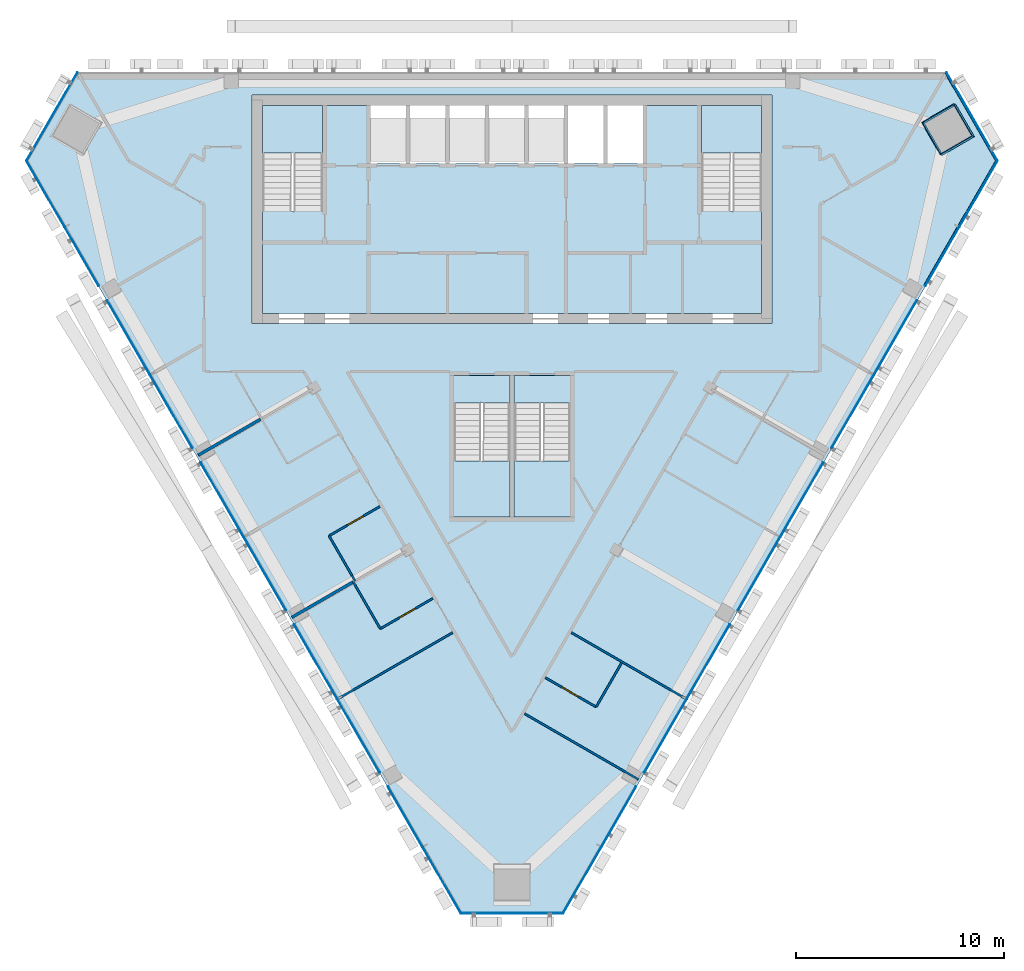
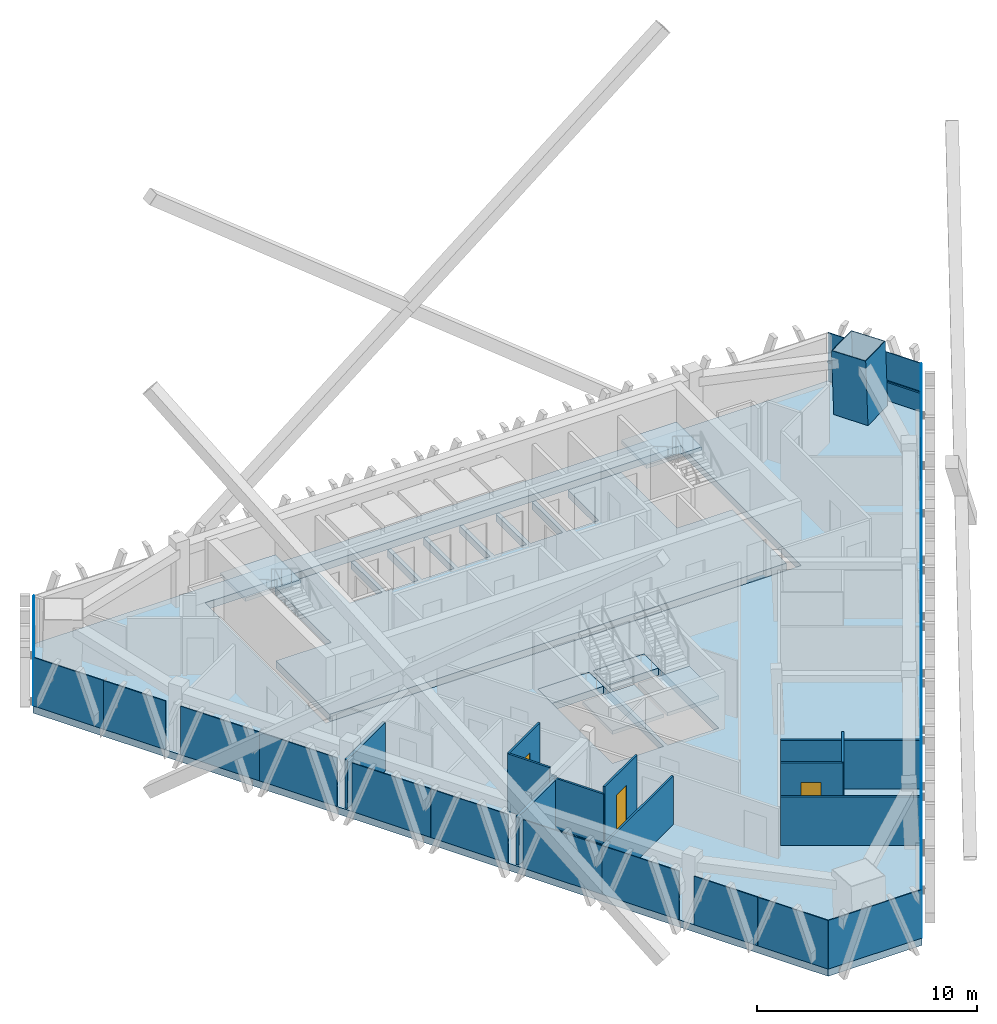
# One storey, part 7 of 14: 23 plates, 12 walls, 8 slabs, 3 doors, 3 members, 3 openings, 9 elements without a shape of their own.
"""IFC4 building model written with IfcOpenShell, lengths in metres."""

from ifc_helpers import new_model, si_unit, direction, frame, frame_2d, origin, origin_2d, place, context, subcontext, project, spatial, polyline, rectangle, hollow_rectangle, outline, extrude, material, layer, layer_set, material_profile, profile_set, type_object, element, fill, aggregate, save


model = new_model("IFC4")

# Units and contexts
model_context = context("Model", 3, precision=1e-05, world=origin(), true_north=direction((0.0, 1.0)))
body_context = subcontext(model_context, "Body", "Model", "MODEL_VIEW")
ifc_project = project(units=[si_unit("LENGTHUNIT", "METRE"), si_unit("AREAUNIT", "SQUARE_METRE"), si_unit("VOLUMEUNIT", "CUBIC_METRE"), si_unit("PLANEANGLEUNIT", "RADIAN"), si_unit("MASSUNIT", "GRAM", prefix="KILO")], contexts=[model_context])

# Site, building, storey
site_placement = place(None, origin())
site = spatial("IfcSite", under=ifc_project, at=site_placement, CompositionType="ELEMENT")
building_placement = place(site_placement, origin())
building = spatial("IfcBuilding", under=site, at=building_placement, Name="Altiplano Prism Tower", CompositionType="ELEMENT")
storey_placement = place(building_placement, frame((0.0, 0.0, 264.39990234375)))
storey = spatial("IfcBuildingStorey", under=building, at=storey_placement, Name="L68", CompositionType="ELEMENT", Elevation=264.39990234375)

# Curtain wall, member
ifc_material_1 = material(Name="Aluminium and glass", Category="aluminium")
ifc_layer_1 = layer(ifc_material_1, 0.280029296875)
ifc_layer_set_1 = layer_set([ifc_layer_1], Name="Aluminium and glass")
curtain_wall_type = type_object("IfcCurtainWallType", Name="CW1 typical co-living unitised curtain wall", PredefinedType="NOTDEFINED", material=ifc_layer_set_1)
curtain_wall_1_placement = place(storey_placement, origin())
curtain_wall_1 = element("IfcCurtainWall", 1, at=curtain_wall_1_placement, inside=storey, type_object=curtain_wall_type, Name="CW1 curtain wall south-east face L68", PredefinedType="NOTDEFINED")
ifc_material_2 = material(Name="Aluminium", Category="aluminium")
ifc_material_profile_1 = material_profile(ifc_material_2, rectangle(XDim=0.06005859375, YDim=0.080078125, at=origin_2d()), Name="CW1 transom 80 x 60")
ifc_profile_set_1 = profile_set([ifc_material_profile_1], Name="Aluminium")
member_type_1 = type_object("IfcMemberType", Name="CW1 transom 80 x 60", PredefinedType="USERDEFINED", material=ifc_profile_set_1)
member_1_placement = place(storey_placement, frame((104.81591796875, 94.734619140625, 1.10009765625), z_axis=(0.499978175358, 0.86603800388, 0.0), x_axis=(-0.86603800388, 0.499978175358, 0.0)))
member_1 = element("IfcMember", 2, at=member_1_placement, type_object=member_type_1, Name="CW1 transom", ObjectType="TRANSOM", PredefinedType="USERDEFINED", context=body_context, shape_type="SweptSolid", body=[
    extrude(rectangle(XDim=0.06005859375, YDim=0.080078125, at=origin_2d()), origin(), (0.0, 0.0, 1.0), 6.969482421875),
])

curtain_wall_2_placement = place(storey_placement, origin())
curtain_wall_2 = element("IfcCurtainWall", 3, at=curtain_wall_2_placement, inside=storey, type_object=curtain_wall_type, Name="CW1 curtain wall north-east chamfer L68", PredefinedType="NOTDEFINED")
member_2_placement = place(storey_placement, frame((108.300537109375, 100.700439453125, 1.10009765625), z_axis=(-0.499994255055, 0.866028720605, 0.0), x_axis=(-0.866028720605, -0.499994255055, 0.0)))
member_2 = element("IfcMember", 4, at=member_2_placement, type_object=member_type_1, Name="CW1 transom", ObjectType="TRANSOM", PredefinedType="USERDEFINED", context=body_context, shape_type="SweptSolid", body=[
    extrude(rectangle(XDim=0.06005859375, YDim=0.080078125, at=origin_2d()), origin(), (0.0, 0.0, 1.0), 4.92431640625),
])

# Member
ifc_material_3 = material(Name="Steel S460", Category="steel")
ifc_material_profile_2 = material_profile(ifc_material_3, hollow_rectangle(XDim=1.800048828125, YDim=1.800048828125, WallThickness=0.0400390625, at=origin_2d()), Name="Mega column tube 1800")
ifc_profile_set_2 = profile_set([ifc_material_profile_2], Name="Steel S460")
member_type_2 = type_object("IfcMemberType", Name="Mega column tube 1800", PredefinedType="POST", material=ifc_profile_set_2)
member_3_placement = place(storey_placement, frame((106.00439453125, 102.2177734375, 0.0), z_axis=(-0.028401814599, 0.009218727412, 0.999554076572), x_axis=(0.50075982596, -0.865301300512, 0.022209368232)))
element("IfcMember", 5, at=member_3_placement, inside=storey, type_object=member_type_2, Name="Mega column tube M2 L68", PredefinedType="POST", context=body_context, shape_type="SweptSolid", body=[
    extrude(hollow_rectangle(XDim=1.800048828125, YDim=1.800048828125, WallThickness=0.0400390625, at=origin_2d()), origin(), (0.0, 0.0, 1.0), 3.601806640625),
])

# Curtain wall, plate
curtain_wall_3_placement = place(storey_placement, origin())
curtain_wall_3 = element("IfcCurtainWall", 6, at=curtain_wall_3_placement, inside=storey, type_object=curtain_wall_type, Name="CW1 curtain wall north-west chamfer L68", PredefinedType="NOTDEFINED")
ifc_material_4 = material(Name="Clear glass", Category="glass")
ifc_layer_2 = layer(ifc_material_4, 0.0400390625)
ifc_layer_set_2 = layer_set([ifc_layer_2], Name="Clear glass")
plate_type = type_object("IfcPlateType", Name="CW1 insulated glass unit 40", PredefinedType="CURTAIN_PANEL", material=ifc_layer_set_2)
plate_1_placement = place(storey_placement, frame((62.88720703125, 102.857666015625, 0.0), z_axis=(0.0, 0.0, 1.0), x_axis=(-0.49999987642, -0.866025475133, 0.0)))
plate_1 = element("IfcPlate", 7, at=plate_1_placement, type_object=plate_type, Name="CW1 panel", PredefinedType="CURTAIN_PANEL", context=body_context, shape_type="SweptSolid", body=[
    extrude(rectangle(XDim=4.914306640625, YDim=0.0400390625, at=origin_2d()), origin(), (0.0, 0.0, 1.0), 2.699951171875),
])
aggregate(curtain_wall_3, [plate_1])

# Curtain wall, plates
curtain_wall_4_placement = place(storey_placement, origin())
curtain_wall_4 = element("IfcCurtainWall", 8, at=curtain_wall_4_placement, inside=storey, type_object=curtain_wall_type, Name="CW1 curtain wall south-west face L68", PredefinedType="NOTDEFINED")
plate_2_placement = place(storey_placement, frame((62.5810546875, 99.1435546875, 0.0), z_axis=(0.0, 0.0, 1.0), x_axis=(0.499999990372, -0.866025409343, 0.0)))
plate_2 = element("IfcPlate", 9, at=plate_2_placement, type_object=plate_type, Name="CW1 panel", PredefinedType="CURTAIN_PANEL", context=body_context, shape_type="SweptSolid", body=[
    extrude(rectangle(XDim=3.689453125, YDim=0.0400390625, at=origin_2d()), origin(), (0.0, 0.0, 1.0), 2.699951171875),
])
plate_3_placement = place(storey_placement, frame((64.323486328125, 96.125732421875, 0.0), z_axis=(0.0, 0.0, 1.0), x_axis=(0.499999990372, -0.866025409343, 0.0)))
plate_3 = element("IfcPlate", 10, at=plate_3_placement, type_object=plate_type, Name="CW1 panel", PredefinedType="CURTAIN_PANEL", context=body_context, shape_type="SweptSolid", body=[
    extrude(rectangle(XDim=3.260009765625, YDim=0.0400390625, at=origin_2d()), origin(), (0.0, 0.0, 1.0), 2.699951171875),
])
plate_4_placement = place(storey_placement, frame((66.568359375, 92.2373046875, 0.0), z_axis=(0.0, 0.0, 1.0), x_axis=(0.499999990372, -0.866025409343, 0.0)))
plate_4 = element("IfcPlate", 11, at=plate_4_placement, type_object=plate_type, Name="CW1 panel", PredefinedType="CURTAIN_PANEL", context=body_context, shape_type="SweptSolid", body=[
    extrude(rectangle(XDim=4.139404296875, YDim=0.0400390625, at=origin_2d()), origin(), (0.0, 0.0, 1.0), 2.699951171875),
])
plate_5_placement = place(storey_placement, frame((68.623291015625, 88.677978515625, 0.0), z_axis=(0.0, 0.0, 1.0), x_axis=(0.499999990372, -0.866025409343, 0.0)))
plate_5 = element("IfcPlate", 12, at=plate_5_placement, type_object=plate_type, Name="CW1 panel", PredefinedType="CURTAIN_PANEL", context=body_context, shape_type="SweptSolid", body=[
    extrude(rectangle(XDim=4.060302734375, YDim=0.0400390625, at=origin_2d()), origin(), (0.0, 0.0, 1.0), 2.699951171875),
])
plate_6_placement = place(storey_placement, frame((71.068359375, 84.443115234375, 0.0), z_axis=(0.0, 0.0, 1.0), x_axis=(0.499999990372, -0.866025409343, 0.0)))
plate_6 = element("IfcPlate", 13, at=plate_6_placement, type_object=plate_type, Name="CW1 panel", PredefinedType="CURTAIN_PANEL", context=body_context, shape_type="SweptSolid", body=[
    extrude(rectangle(XDim=4.139404296875, YDim=0.0400390625, at=origin_2d()), origin(), (0.0, 0.0, 1.0), 2.699951171875),
])
plate_7_placement = place(storey_placement, frame((73.123291015625, 80.8837890625, 0.0), z_axis=(0.0, 0.0, 1.0), x_axis=(0.499999990372, -0.866025409343, 0.0)))
plate_7 = element("IfcPlate", 14, at=plate_7_placement, type_object=plate_type, Name="CW1 panel", PredefinedType="CURTAIN_PANEL", context=body_context, shape_type="SweptSolid", body=[
    extrude(rectangle(XDim=4.060302734375, YDim=0.0400390625, at=origin_2d()), origin(), (0.0, 0.0, 1.0), 2.699951171875),
])
plate_8_placement = place(storey_placement, frame((75.568359375, 76.64892578125, 0.0), z_axis=(0.0, 0.0, 1.0), x_axis=(0.499999990372, -0.866025409343, 0.0)))
plate_8 = element("IfcPlate", 15, at=plate_8_placement, type_object=plate_type, Name="CW1 panel", PredefinedType="CURTAIN_PANEL", context=body_context, shape_type="SweptSolid", body=[
    extrude(rectangle(XDim=4.139404296875, YDim=0.0400390625, at=origin_2d()), origin(), (0.0, 0.0, 1.0), 2.699951171875),
])
plate_9_placement = place(storey_placement, frame((77.623291015625, 73.089599609375, 0.0), z_axis=(0.0, 0.0, 1.0), x_axis=(0.499999990372, -0.866025409343, 0.0)))
plate_9 = element("IfcPlate", 16, at=plate_9_placement, type_object=plate_type, Name="CW1 panel", PredefinedType="CURTAIN_PANEL", context=body_context, shape_type="SweptSolid", body=[
    extrude(rectangle(XDim=4.060302734375, YDim=0.0400390625, at=origin_2d()), origin(), (0.0, 0.0, 1.0), 2.699951171875),
])
plate_10_placement = place(storey_placement, frame((79.8681640625, 69.201171875, 0.0), z_axis=(0.0, 0.0, 1.0), x_axis=(0.499999990372, -0.866025409343, 0.0)))
plate_10 = element("IfcPlate", 17, at=plate_10_placement, type_object=plate_type, Name="CW1 panel", PredefinedType="CURTAIN_PANEL", context=body_context, shape_type="SweptSolid", body=[
    extrude(rectangle(XDim=3.3388671875, YDim=0.0400390625, at=origin_2d()), origin(), (0.0, 0.0, 1.0), 2.699951171875),
])
plate_11_placement = place(storey_placement, frame((81.63037109375, 66.149169921875, 0.0), z_axis=(0.0, 0.0, 1.0), x_axis=(0.499999990372, -0.866025409343, 0.0)))
plate_11 = element("IfcPlate", 18, at=plate_11_placement, type_object=plate_type, Name="CW1 panel", PredefinedType="CURTAIN_PANEL", context=body_context, shape_type="SweptSolid", body=[
    extrude(rectangle(XDim=3.689453125, YDim=0.0400390625, at=origin_2d()), origin(), (0.0, 0.0, 1.0), 2.699951171875),
])
aggregate(curtain_wall_4, [plate_2, plate_3, plate_4, plate_5, plate_6, plate_7, plate_8, plate_9, plate_10, plate_11])

# Curtain wall, plate
curtain_wall_5_placement = place(storey_placement, origin())
curtain_wall_5 = element("IfcCurtainWall", 19, at=curtain_wall_5_placement, inside=storey, type_object=curtain_wall_type, Name="CW1 curtain wall south chamfer L68", PredefinedType="NOTDEFINED")
plate_12_placement = place(storey_placement, frame((85.0, 64.55712890625, 0.0), z_axis=(0.0, 0.0, 1.0), x_axis=(1.0, 0.0, 0.0)))
plate_12 = element("IfcPlate", 20, at=plate_12_placement, type_object=plate_type, Name="CW1 panel", PredefinedType="CURTAIN_PANEL", context=body_context, shape_type="SweptSolid", body=[
    extrude(rectangle(XDim=4.914306640625, YDim=0.0400390625, at=origin_2d()), origin(), (0.0, 0.0, 1.0), 2.699951171875),
])
aggregate(curtain_wall_5, [plate_12])

# Plate
plate_13_placement = place(storey_placement, frame((88.36962890625, 66.149169921875, 0.0), z_axis=(0.0, 0.0, 1.0), x_axis=(0.499999990372, 0.866025409343, 0.0)))
plate_13 = element("IfcPlate", 21, at=plate_13_placement, type_object=plate_type, Name="CW1 panel", PredefinedType="CURTAIN_PANEL", context=body_context, shape_type="SweptSolid", body=[
    extrude(rectangle(XDim=3.689453125, YDim=0.0400390625, at=origin_2d()), origin(), (0.0, 0.0, 1.0), 2.699951171875),
])

plate_14_placement = place(storey_placement, frame((90.1318359375, 69.201171875, 0.0), z_axis=(0.0, 0.0, 1.0), x_axis=(0.499999990372, 0.866025409343, 0.0)))
plate_14 = element("IfcPlate", 22, at=plate_14_placement, type_object=plate_type, Name="CW1 panel", PredefinedType="CURTAIN_PANEL", context=body_context, shape_type="SweptSolid", body=[
    extrude(rectangle(XDim=3.3388671875, YDim=0.0400390625, at=origin_2d()), origin(), (0.0, 0.0, 1.0), 2.699951171875),
])

plate_15_placement = place(storey_placement, frame((92.376708984375, 73.089599609375, 0.0), z_axis=(0.0, 0.0, 1.0), x_axis=(0.499999990372, 0.866025409343, 0.0)))
plate_15 = element("IfcPlate", 23, at=plate_15_placement, type_object=plate_type, Name="CW1 panel", PredefinedType="CURTAIN_PANEL", context=body_context, shape_type="SweptSolid", body=[
    extrude(rectangle(XDim=4.060302734375, YDim=0.0400390625, at=origin_2d()), origin(), (0.0, 0.0, 1.0), 2.699951171875),
])

plate_16_placement = place(storey_placement, frame((94.431640625, 76.64892578125, 0.0), z_axis=(0.0, 0.0, 1.0), x_axis=(0.499999990372, 0.866025409343, 0.0)))
plate_16 = element("IfcPlate", 24, at=plate_16_placement, type_object=plate_type, Name="CW1 panel", PredefinedType="CURTAIN_PANEL", context=body_context, shape_type="SweptSolid", body=[
    extrude(rectangle(XDim=4.139404296875, YDim=0.0400390625, at=origin_2d()), origin(), (0.0, 0.0, 1.0), 2.699951171875),
])

plate_17_placement = place(storey_placement, frame((96.876708984375, 80.8837890625, 0.0), z_axis=(0.0, 0.0, 1.0), x_axis=(0.499999990372, 0.866025409343, 0.0)))
plate_17 = element("IfcPlate", 25, at=plate_17_placement, type_object=plate_type, Name="CW1 panel", PredefinedType="CURTAIN_PANEL", context=body_context, shape_type="SweptSolid", body=[
    extrude(rectangle(XDim=4.060302734375, YDim=0.0400390625, at=origin_2d()), origin(), (0.0, 0.0, 1.0), 2.699951171875),
])

plate_18_placement = place(storey_placement, frame((98.931640625, 84.443115234375, 0.0), z_axis=(0.0, 0.0, 1.0), x_axis=(0.499999990372, 0.866025409343, 0.0)))
plate_18 = element("IfcPlate", 26, at=plate_18_placement, type_object=plate_type, Name="CW1 panel", PredefinedType="CURTAIN_PANEL", context=body_context, shape_type="SweptSolid", body=[
    extrude(rectangle(XDim=4.139404296875, YDim=0.0400390625, at=origin_2d()), origin(), (0.0, 0.0, 1.0), 2.699951171875),
])

plate_19_placement = place(storey_placement, frame((101.376708984375, 88.677978515625, 0.0), z_axis=(0.0, 0.0, 1.0), x_axis=(0.499999990372, 0.866025409343, 0.0)))
plate_19 = element("IfcPlate", 27, at=plate_19_placement, type_object=plate_type, Name="CW1 panel", PredefinedType="CURTAIN_PANEL", context=body_context, shape_type="SweptSolid", body=[
    extrude(rectangle(XDim=4.060302734375, YDim=0.0400390625, at=origin_2d()), origin(), (0.0, 0.0, 1.0), 2.699951171875),
])

plate_20_placement = place(storey_placement, frame((103.431640625, 92.2373046875, 0.0), z_axis=(0.0, 0.0, 1.0), x_axis=(0.499999990372, 0.866025409343, 0.0)))
plate_20 = element("IfcPlate", 28, at=plate_20_placement, type_object=plate_type, Name="CW1 panel", PredefinedType="CURTAIN_PANEL", context=body_context, shape_type="SweptSolid", body=[
    extrude(rectangle(XDim=4.139404296875, YDim=0.0400390625, at=origin_2d()), origin(), (0.0, 0.0, 1.0), 2.699951171875),
])

plate_21_placement = place(storey_placement, frame((105.676513671875, 96.125732421875, 0.0), z_axis=(0.0, 0.0, 1.0), x_axis=(0.499999990372, 0.866025409343, 0.0)))
plate_21 = element("IfcPlate", 29, at=plate_21_placement, type_object=plate_type, Name="CW1 panel", PredefinedType="CURTAIN_PANEL", context=body_context, shape_type="SweptSolid", body=[
    extrude(rectangle(XDim=3.260009765625, YDim=0.0400390625, at=origin_2d()), origin(), (0.0, 0.0, 1.0), 2.699951171875),
])

plate_22_placement = place(storey_placement, frame((107.4189453125, 99.1435546875, 0.0), z_axis=(0.0, 0.0, 1.0), x_axis=(0.499999990372, 0.866025409343, 0.0)))
plate_22 = element("IfcPlate", 30, at=plate_22_placement, type_object=plate_type, Name="CW1 panel", PredefinedType="CURTAIN_PANEL", context=body_context, shape_type="SweptSolid", body=[
    extrude(rectangle(XDim=3.689453125, YDim=0.0400390625, at=origin_2d()), origin(), (0.0, 0.0, 1.0), 2.699951171875),
])

aggregate(curtain_wall_1, [plate_13, plate_14, plate_15, plate_16, plate_17, plate_18, plate_19, plate_20, member_1, plate_21, plate_22])

plate_23_placement = place(storey_placement, frame((107.11279296875, 102.857666015625, 0.0), z_axis=(0.0, 0.0, 1.0), x_axis=(-0.49999987642, 0.866025475133, 0.0)))
plate_23 = element("IfcPlate", 31, at=plate_23_placement, type_object=plate_type, Name="CW1 panel", PredefinedType="CURTAIN_PANEL", context=body_context, shape_type="SweptSolid", body=[
    extrude(rectangle(XDim=4.914306640625, YDim=0.0400390625, at=origin_2d()), origin(), (0.0, 0.0, 1.0), 2.699951171875),
])

aggregate(curtain_wall_2, [member_2, plate_23])

# Slabs
ifc_material_5 = material(Name="Concrete C40/50", Category="concrete")
ifc_layer_3 = layer(ifc_material_5, 0.39990234375)
ifc_layer_set_3 = layer_set([ifc_layer_3], Name="Concrete C40/50")
slab_type_1 = type_object("IfcSlabType", Name="Core floor slab 400", PredefinedType="FLOOR", material=ifc_layer_set_3)
slab_1_placement = place(storey_placement, frame((0.0, 0.0, -0.39990234375)))
element("IfcSlab", 32, at=slab_1_placement, inside=storey, type_object=slab_type_1, Name="Core floor slab L68", PredefinedType="FLOOR", context=body_context, shape_type="SweptSolid", body=[
    extrude(outline(polyline([(97.0, 98.31005859375), (94.10009765625, 98.31005859375), (94.10009765625, 103.39990234375), (91.300048828125, 103.39990234375), (91.300048828125, 100.60009765625), (89.60009765625, 100.60009765625), (89.60009765625, 103.39990234375), (89.39990234375, 103.39990234375), (89.39990234375, 100.60009765625), (87.699951171875, 100.60009765625), (87.699951171875, 103.39990234375), (87.5, 103.39990234375), (87.5, 100.60009765625), (85.800048828125, 100.60009765625), (85.800048828125, 103.39990234375), (85.60009765625, 103.39990234375), (85.60009765625, 100.60009765625), (83.89990234375, 100.60009765625), (83.89990234375, 103.39990234375), (83.699951171875, 103.39990234375), (83.699951171875, 100.60009765625), (82.0, 100.60009765625), (82.0, 103.39990234375), (81.800048828125, 103.39990234375), (81.800048828125, 100.60009765625), (80.10009765625, 100.60009765625), (80.10009765625, 103.39990234375), (79.89990234375, 103.39990234375), (79.89990234375, 100.60009765625), (78.199951171875, 100.60009765625), (78.199951171875, 103.39990234375), (75.89990234375, 103.39990234375), (75.89990234375, 98.31005859375), (73.0, 98.31005859375), (73.0, 93.39990234375), (97.0, 93.39990234375), (97.0, 98.31005859375)])), origin(), (0.0, 0.0, 1.0), 0.39990234375),
])
slab_2_placement = place(storey_placement, frame((0.0, 0.0, -0.39990234375)))
element("IfcSlab", 33, at=slab_2_placement, inside=storey, type_object=slab_type_1, Name="Stair 3A landing slab L68", PredefinedType="FLOOR", context=body_context, shape_type="SweptSolid", body=[
    extrude(outline(polyline([(82.199951171875, 89.096923828125), (84.89990234375, 89.096923828125), (84.89990234375, 90.39990234375), (82.199951171875, 90.39990234375), (82.199951171875, 89.096923828125)])), origin(), (0.0, 0.0, 1.0), 0.39990234375),
])
slab_3_placement = place(storey_placement, frame((0.0, 0.0, -0.39990234375)))
element("IfcSlab", 34, at=slab_3_placement, inside=storey, type_object=slab_type_1, Name="Stair 3B landing slab L68", PredefinedType="FLOOR", context=body_context, shape_type="SweptSolid", body=[
    extrude(outline(polyline([(85.10009765625, 89.096923828125), (87.800048828125, 89.096923828125), (87.800048828125, 90.39990234375), (85.10009765625, 90.39990234375), (85.10009765625, 89.096923828125)])), origin(), (0.0, 0.0, 1.0), 0.39990234375),
])
ifc_layer_4 = layer(ifc_material_5, 0.39990234375)
ifc_layer_set_4 = layer_set([ifc_layer_4], Name="Concrete C40/50")
slab_type_2 = type_object("IfcSlabType", Name="Post-tensioned flat slab 400", PredefinedType="FLOOR", material=ifc_layer_set_4)
slab_4_placement = place(storey_placement, frame((0.0, 0.0, -0.39990234375)))
element("IfcSlab", 35, at=slab_4_placement, inside=storey, type_object=slab_type_2, Name="Floor slab L68", PredefinedType="FLOOR", context=body_context, shape_type="SweptSolid", body=[
    extrude(outline(polyline([(82.537841796875, 64.537109375), (61.638916015625, 100.7353515625), (64.100830078125, 105.0), (105.899169921875, 105.0), (108.361083984375, 100.7353515625), (87.462158203125, 64.537109375), (82.537841796875, 64.537109375)]), holes=[polyline([(72.5, 103.89990234375), (72.5, 92.89990234375), (97.5, 92.89990234375), (97.5, 103.89990234375), (72.5, 103.89990234375)]), polyline([(84.89990234375, 90.39990234375), (82.199951171875, 90.39990234375), (82.199951171875, 83.60009765625), (84.89990234375, 83.60009765625), (84.89990234375, 90.39990234375)]), polyline([(87.800048828125, 83.60009765625), (87.800048828125, 90.39990234375), (85.10009765625, 90.39990234375), (85.10009765625, 83.60009765625), (87.800048828125, 83.60009765625)])]), origin(), (0.0, 0.0, 1.0), 0.39990234375),
])

# Stair, slab
stair_type_1 = type_object("IfcStairType", Name="Exit stair 1400", PredefinedType="HALF_TURN_STAIR", material=ifc_material_5)
stair_1_placement = place(storey_placement, origin())
stair_1 = element("IfcStair", 36, at=stair_1_placement, inside=storey, type_object=stair_type_1, Name="L68 Exit Stair 1", PredefinedType="HALF_TURN_STAIR")
ifc_layer_5 = layer(ifc_material_5, 0.199951171875)
ifc_layer_set_5 = layer_set([ifc_layer_5], Name="Concrete C40/50")
slab_type_3 = type_object("IfcSlabType", Name="Stair landing 200", PredefinedType="LANDING", material=ifc_layer_set_5)
slab_5_placement = place(storey_placement, frame((0.0, 0.0, 1.60009765625)))
slab_5 = element("IfcSlab", 37, at=slab_5_placement, type_object=slab_type_3, Name="ST1 landing 1", PredefinedType="LANDING", context=body_context, shape_type="SweptSolid", body=[
    extrude(outline(polyline([(75.89990234375, 101.096923828125), (75.89990234375, 103.39990234375), (73.0, 103.39990234375), (73.0, 101.096923828125), (75.89990234375, 101.096923828125)])), origin(), (0.0, 0.0, 1.0), 0.199951171875),
])
aggregate(stair_1, [slab_5])

stair_2_placement = place(storey_placement, origin())
stair_2 = element("IfcStair", 38, at=stair_2_placement, inside=storey, type_object=stair_type_1, Name="L68 Exit Stair 2", PredefinedType="HALF_TURN_STAIR")
slab_6_placement = place(storey_placement, frame((0.0, 0.0, 1.60009765625)))
slab_6 = element("IfcSlab", 39, at=slab_6_placement, type_object=slab_type_3, Name="ST2 landing 1", PredefinedType="LANDING", context=body_context, shape_type="SweptSolid", body=[
    extrude(outline(polyline([(97.0, 101.096923828125), (97.0, 103.39990234375), (94.10009765625, 103.39990234375), (94.10009765625, 101.096923828125), (97.0, 101.096923828125)])), origin(), (0.0, 0.0, 1.0), 0.199951171875),
])
aggregate(stair_2, [slab_6])

stair_type_2 = type_object("IfcStairType", Name="Exit stair 1300", PredefinedType="HALF_TURN_STAIR", material=ifc_material_5)
stair_3_placement = place(storey_placement, origin())
stair_3 = element("IfcStair", 40, at=stair_3_placement, inside=storey, type_object=stair_type_2, Name="L68 Exit Stair 3A", PredefinedType="HALF_TURN_STAIR")
slab_7_placement = place(storey_placement, frame((0.0, 0.0, 1.60009765625)))
slab_7 = element("IfcSlab", 41, at=slab_7_placement, type_object=slab_type_3, Name="ST3A landing 1", PredefinedType="LANDING", context=body_context, shape_type="SweptSolid", body=[
    extrude(outline(polyline([(82.199951171875, 86.302978515625), (82.199951171875, 83.60009765625), (84.89990234375, 83.60009765625), (84.89990234375, 86.302978515625), (82.199951171875, 86.302978515625)])), origin(), (0.0, 0.0, 1.0), 0.199951171875),
])
aggregate(stair_3, [slab_7])

stair_4_placement = place(storey_placement, origin())
stair_4 = element("IfcStair", 42, at=stair_4_placement, inside=storey, type_object=stair_type_2, Name="L68 Exit Stair 3B", PredefinedType="HALF_TURN_STAIR")
slab_8_placement = place(storey_placement, frame((0.0, 0.0, 1.60009765625)))
slab_8 = element("IfcSlab", 43, at=slab_8_placement, type_object=slab_type_3, Name="ST3B landing 1", PredefinedType="LANDING", context=body_context, shape_type="SweptSolid", body=[
    extrude(outline(polyline([(85.10009765625, 86.302978515625), (85.10009765625, 83.60009765625), (87.800048828125, 83.60009765625), (87.800048828125, 86.302978515625), (85.10009765625, 86.302978515625)])), origin(), (0.0, 0.0, 1.0), 0.199951171875),
])
aggregate(stair_4, [slab_8])

# Walls
ifc_material_6 = material(Name="Plasterboard on steel stud", Category="steel")
ifc_layer_6 = layer(ifc_material_6, 0.10009765625)
ifc_layer_set_6 = layer_set([ifc_layer_6], Name="Plasterboard on steel stud")
wall_type_1 = type_object("IfcWallType", Name="Partition 100 unit", PredefinedType="PARTITIONING", material=ifc_layer_set_6)
wall_1_placement = place(storey_placement, frame((77.4560546875, 80.539306640625, 0.0), z_axis=(0.0, 0.0, 1.0), x_axis=(-0.500426713919, 0.865778900179, 0.0)))
element("IfcWall", 44, at=wall_1_placement, inside=storey, type_object=wall_type_1, Name="Partition P02 L68 032", PredefinedType="PARTITIONING", context=body_context, shape_type="SweptSolid", body=[
    extrude(rectangle(XDim=0.300048828125, YDim=0.10009765625, at=frame_2d((0.14990234375, 0.0))), origin(), (0.0, 0.0, 1.0), 2.800048828125),
])
wall_2_placement = place(storey_placement, frame((77.305908203125, 80.799072265625, 0.0), z_axis=(0.0, 0.0, 1.0), x_axis=(-0.499946605688, 0.86605622881, 0.0)))
element("IfcWall", 45, at=wall_2_placement, inside=storey, type_object=wall_type_1, Name="Partition P02 L68 033", PredefinedType="PARTITIONING", context=body_context, shape_type="SweptSolid", body=[
    extrude(rectangle(XDim=2.199951171875, YDim=0.10009765625, at=frame_2d((1.10009765625, 0.0))), origin(), (0.0, 0.0, 1.0), 3.2001953125),
])

# Wall, opening, door
wall_3_placement = place(storey_placement, frame((76.2060546875, 82.704345703125, 0.0), z_axis=(0.0, 0.0, 1.0), x_axis=(0.866048868473, 0.499959355765, 0.0)))
wall_3 = element("IfcWall", 46, at=wall_3_placement, inside=storey, type_object=wall_type_1, Name="Partition P02 L68 034", PredefinedType="PARTITIONING", context=body_context, shape_type="SweptSolid", body=[
    extrude(rectangle(XDim=2.824951171875, YDim=0.10009765625, at=frame_2d((1.41259765625, 0.0))), origin(), (0.0, 0.0, 1.0), 3.2001953125),
])
opening_1_placement = place(wall_3_placement, frame((1.0, 0.0, 0.0)))
opening_1 = element("IfcOpeningElement", 47, at=opening_1_placement, cuts=wall_3, Name="Opening D2164", PredefinedType="OPENING", context=body_context, shape_type="SweptSolid", body=[
    extrude(rectangle(XDim=0.89990234375, YDim=2.10009765625, at=frame_2d((0.449951171875, 1.050048828125))), frame((0.0, 0.060546875, 0.0), z_axis=(0.0, -1.0, 0.0), x_axis=(1.0, 0.0, 0.0)), (0.0, 0.0, 1.0), 0.12109375),
])
ifc_material_7 = material(Name="Timber", Category="wood")
door_type = type_object("IfcDoorType", Name="Ensuite door 900 x 2100", OperationType="NOTDEFINED", PredefinedType="NOTDEFINED", material=ifc_material_7)
door_1_placement = place(opening_1_placement, origin())
door_1 = element("IfcDoor", 48, at=door_1_placement, inside=storey, type_object=door_type, Name="Door D2164", OperationType="SINGLE_SWING_RIGHT", OverallHeight=2.10009765625, OverallWidth=0.89990234375, PredefinedType="NOTDEFINED", context=body_context, shape_type="SweptSolid", body=[
    extrude(rectangle(XDim=0.89990234375, YDim=2.10009765625, at=frame_2d((0.449951171875, 1.050048828125))), frame((0.0, 0.02490234375, 0.0), z_axis=(0.0, -1.0, 0.0), x_axis=(1.0, 0.0, 0.0)), (0.0, 0.0, 1.0), 0.050048828125),
])
fill(opening_1, door_1)

wall_4_placement = place(storey_placement, frame((81.20263671875, 79.699951171875, 0.0), z_axis=(0.0, 0.0, 1.0), x_axis=(-0.866046596414, -0.499963291492, 0.0)))
wall_4 = element("IfcWall", 49, at=wall_4_placement, inside=storey, type_object=wall_type_1, Name="Partition P02 L68 037", PredefinedType="PARTITIONING", context=body_context, shape_type="SweptSolid", body=[
    extrude(rectangle(XDim=2.925048828125, YDim=0.10009765625, at=frame_2d((1.46240234375, 0.0))), origin(), (0.0, 0.0, 1.0), 3.2001953125),
])
opening_2_placement = place(wall_4_placement, frame((0.97509765625, 0.0, 0.0)))
opening_2 = element("IfcOpeningElement", 50, at=opening_2_placement, cuts=wall_4, Name="Opening D2166", PredefinedType="OPENING", context=body_context, shape_type="SweptSolid", body=[
    extrude(rectangle(XDim=0.89990234375, YDim=2.10009765625, at=frame_2d((0.449951171875, 1.050048828125))), frame((0.0, 0.060546875, 0.0), z_axis=(0.0, -1.0, 0.0), x_axis=(1.0, 0.0, 0.0)), (0.0, 0.0, 1.0), 0.12109375),
])
door_2_placement = place(opening_2_placement, origin())
door_2 = element("IfcDoor", 51, at=door_2_placement, inside=storey, type_object=door_type, Name="Door D2166", OperationType="SINGLE_SWING_RIGHT", OverallHeight=2.10009765625, OverallWidth=0.89990234375, PredefinedType="NOTDEFINED", context=body_context, shape_type="SweptSolid", body=[
    extrude(rectangle(XDim=0.89990234375, YDim=2.10009765625, at=frame_2d((0.449951171875, 1.050048828125))), frame((0.0, 0.02490234375, 0.0), z_axis=(0.0, -1.0, 0.0), x_axis=(1.0, 0.0, 0.0)), (0.0, 0.0, 1.0), 0.050048828125),
])
fill(opening_2, door_2)

# Walls
wall_5_placement = place(storey_placement, frame((78.66943359375, 78.237548828125, 0.0), z_axis=(0.0, 0.0, 1.0), x_axis=(-0.500006934395, 0.866021400173, 0.0)))
element("IfcWall", 52, at=wall_5_placement, inside=storey, type_object=wall_type_1, Name="Partition P02 L68 038", PredefinedType="PARTITIONING", context=body_context, shape_type="SweptSolid", body=[
    extrude(rectangle(XDim=2.60009765625, YDim=0.10009765625, at=frame_2d((1.300048828125, 0.0))), origin(), (0.0, 0.0, 1.0), 2.800048828125),
])
wall_6_placement = place(storey_placement, frame((90.26904296875, 76.598876953125, 0.0), z_axis=(0.0, 0.0, 1.0), x_axis=(-0.500018594424, -0.866014668023, 0.0)))
element("IfcWall", 53, at=wall_6_placement, inside=storey, type_object=wall_type_1, Name="Partition P02 L68 041", PredefinedType="PARTITIONING", context=body_context, shape_type="SweptSolid", body=[
    extrude(rectangle(XDim=2.4501953125, YDim=0.10009765625, at=frame_2d((1.22509765625, 0.0))), origin(), (0.0, 0.0, 1.0), 3.2001953125),
])

# Wall, opening, door
wall_7_placement = place(storey_placement, frame((89.0439453125, 74.47705078125, 0.0), z_axis=(0.0, 0.0, 1.0), x_axis=(-0.866011447264, 0.500024172624, 0.0)))
wall_7 = element("IfcWall", 54, at=wall_7_placement, inside=storey, type_object=wall_type_1, Name="Partition P02 L68 042", PredefinedType="PARTITIONING", context=body_context, shape_type="SweptSolid", body=[
    extrude(rectangle(XDim=2.824951171875, YDim=0.10009765625, at=frame_2d((1.41259765625, 0.0))), origin(), (0.0, 0.0, 1.0), 3.2001953125),
])
opening_3_placement = place(wall_7_placement, frame((1.0, 0.0, 0.0)))
opening_3 = element("IfcOpeningElement", 55, at=opening_3_placement, cuts=wall_7, Name="Opening D2169", PredefinedType="OPENING", context=body_context, shape_type="SweptSolid", body=[
    extrude(rectangle(XDim=0.89990234375, YDim=2.10009765625, at=frame_2d((0.449951171875, 1.050048828125))), frame((0.0, 0.060546875, 0.0), z_axis=(0.0, -1.0, 0.0), x_axis=(1.0, 0.0, 0.0)), (0.0, 0.0, 1.0), 0.12109375),
])
door_3_placement = place(opening_3_placement, origin())
door_3 = element("IfcDoor", 56, at=door_3_placement, inside=storey, type_object=door_type, Name="Door D2169", OperationType="SINGLE_SWING_RIGHT", OverallHeight=2.10009765625, OverallWidth=0.89990234375, PredefinedType="NOTDEFINED", context=body_context, shape_type="SweptSolid", body=[
    extrude(rectangle(XDim=0.89990234375, YDim=2.10009765625, at=frame_2d((0.449951171875, 1.050048828125))), frame((0.0, 0.02490234375, 0.0), z_axis=(0.0, -1.0, 0.0), x_axis=(1.0, 0.0, 0.0)), (0.0, 0.0, 1.0), 0.050048828125),
])
fill(opening_3, door_3)

# Walls
ifc_layer_7 = layer(ifc_material_6, 0.10009765625)
ifc_layer_set_7 = layer_set([ifc_layer_7], Name="Plasterboard on steel stud")
wall_type_2 = type_object("IfcWallType", Name="Partition 100 wet", PredefinedType="PARTITIONING", material=ifc_layer_set_7)
wall_8_placement = place(storey_placement, frame((76.657470703125, 74.882080078125, 0.0), z_axis=(0.0, 0.0, 1.0), x_axis=(0.866025401434, 0.500000004071, 0.0)))
element("IfcWall", 57, at=wall_8_placement, inside=storey, type_object=wall_type_2, Name="Partition P03 L68 039", PredefinedType="PARTITIONING", context=body_context, shape_type="SweptSolid", body=[
    extrude(rectangle(XDim=6.34521484375, YDim=0.10009765625, at=frame_2d((3.172607421875, 0.0))), origin(), (0.0, 0.0, 1.0), 2.7001953125),
])
wall_9_placement = place(storey_placement, frame((91.074951171875, 70.9951171875, 0.0), z_axis=(0.0, 0.0, 1.0), x_axis=(-0.866032601554, 0.49998753289, 0.0)))
element("IfcWall", 58, at=wall_9_placement, inside=storey, type_object=wall_type_2, Name="Partition P03 L68 040", PredefinedType="PARTITIONING", context=body_context, shape_type="SweptSolid", body=[
    extrude(rectangle(XDim=6.324951171875, YDim=0.10009765625, at=frame_2d((3.16259765625, 0.0))), origin(), (0.0, 0.0, 1.0), 2.7001953125),
])
wall_10_placement = place(storey_placement, frame((93.342529296875, 74.882080078125, 0.0), z_axis=(0.0, 0.0, 1.0), x_axis=(-0.866025401434, 0.500000004071, 0.0)))
element("IfcWall", 59, at=wall_10_placement, inside=storey, type_object=wall_type_2, Name="Partition P03 L68 043", PredefinedType="PARTITIONING", context=body_context, shape_type="SweptSolid", body=[
    extrude(rectangle(XDim=6.34521484375, YDim=0.10009765625, at=frame_2d((3.172607421875, 0.0))), origin(), (0.0, 0.0, 1.0), 2.7001953125),
])
ifc_layer_8 = layer(ifc_material_6, 0.14990234375)
ifc_layer_set_8 = layer_set([ifc_layer_8], Name="Plasterboard on steel stud")
wall_type_3 = type_object("IfcWallType", Name="Partition 150 party", PredefinedType="PARTITIONING", material=ifc_layer_set_8)
wall_11_placement = place(storey_placement, frame((69.925048828125, 86.58349609375, 0.0), z_axis=(0.0, 0.0, 1.0), x_axis=(0.866044174857, 0.499967486139, 0.0)))
element("IfcWall", 60, at=wall_11_placement, inside=storey, type_object=wall_type_3, Name="Partition P01 L68 028", PredefinedType="PARTITIONING", context=body_context, shape_type="SweptSolid", body=[
    extrude(rectangle(XDim=3.449951171875, YDim=0.14990234375, at=frame_2d((1.72509765625, 0.0))), origin(), (0.0, 0.0, 1.0), 2.7001953125),
])
wall_12_placement = place(storey_placement, frame((74.425048828125, 78.789306640625, 0.0), z_axis=(0.0, 0.0, 1.0), x_axis=(0.866020560687, 0.500008388397, 0.0)))
element("IfcWall", 61, at=wall_12_placement, inside=storey, type_object=wall_type_3, Name="Partition P01 L68 035", PredefinedType="PARTITIONING", context=body_context, shape_type="SweptSolid", body=[
    extrude(rectangle(XDim=3.39990234375, YDim=0.14990234375, at=frame_2d((1.699951171875, 0.0))), origin(), (0.0, 0.0, 1.0), 2.7001953125),
])

save(model, "model.ifc")
